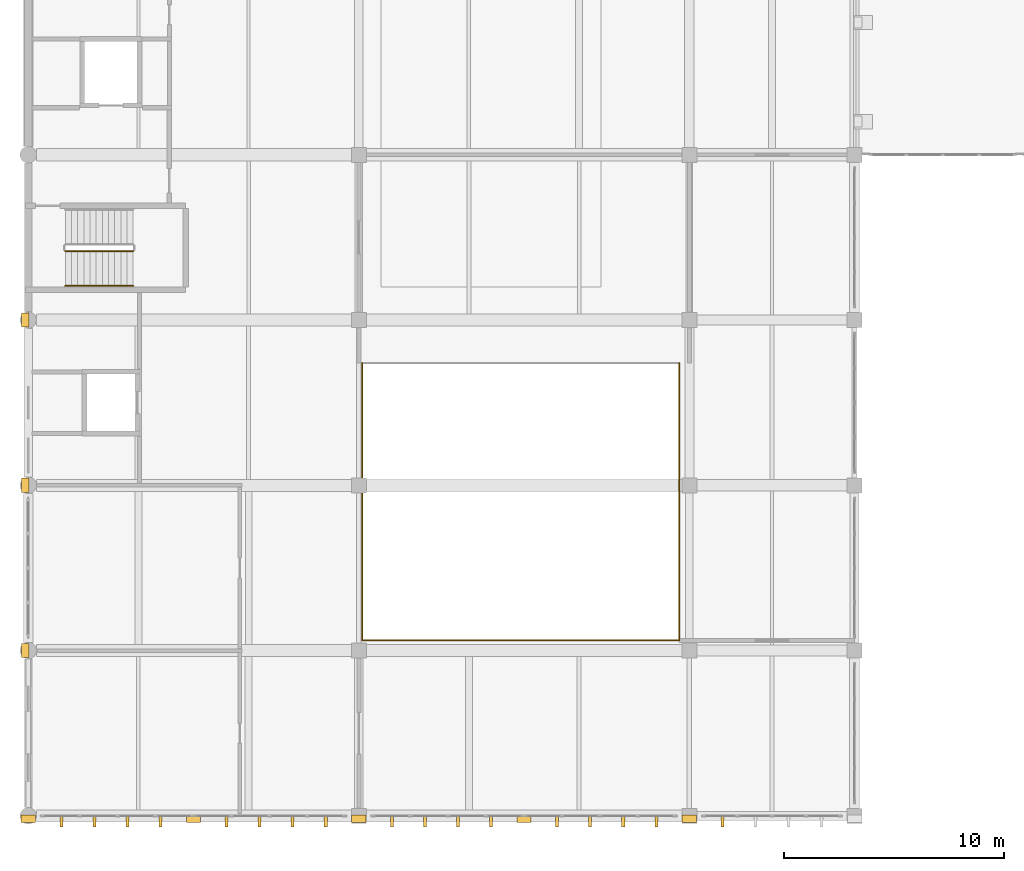
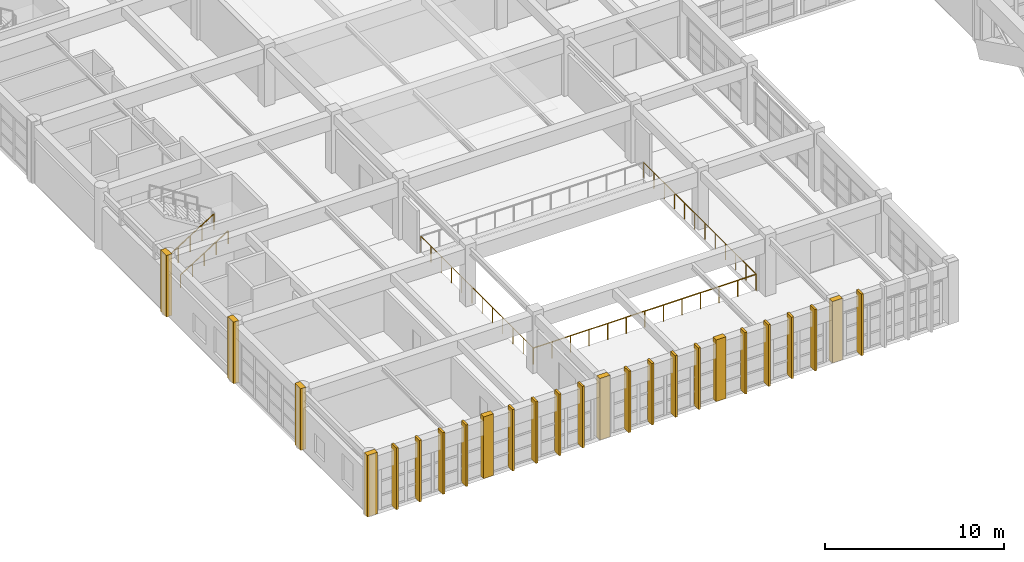
# One storey, part 117 of 132: 25 coverings, 5 railings.
"""IFC4 building model written with IfcOpenShell, lengths in metres."""

from ifc_helpers import new_model, si_unit, direction, frame, origin, origin_2d, place, context, subcontext, project, spatial, rectangle, circle, extrude, material, layer, layer_set, type_object, element, save


model = new_model("IFC4")

# Units and contexts
model_context = context("Model", 3, precision=1e-05, world=origin(), true_north=direction((0.0, 1.0)))
body_context = subcontext(model_context, "Body", "Model", "MODEL_VIEW")
ifc_project = project(units=[si_unit("LENGTHUNIT", "METRE"), si_unit("AREAUNIT", "SQUARE_METRE"), si_unit("VOLUMEUNIT", "CUBIC_METRE"), si_unit("PLANEANGLEUNIT", "RADIAN"), si_unit("MASSUNIT", "GRAM", prefix="KILO")], contexts=[model_context])

# Site, building, storey
site_placement = place(None, origin())
site = spatial("IfcSite", under=ifc_project, at=site_placement, CompositionType="ELEMENT")
building_placement = place(site_placement, origin())
building = spatial("IfcBuilding", under=site, at=building_placement, Name="Qasida Concert Hall", CompositionType="ELEMENT")
storey_placement = place(building_placement, frame((0.0, 0.0, 4.800048828125)))
storey = spatial("IfcBuildingStorey", under=building, at=storey_placement, Name="L01", CompositionType="ELEMENT", Elevation=4.800048828125)

# Coverings
ifc_material_1 = material(Name="Fluted ochre Lebanese limestone and patinated bronze fin", Category="masonry")
ifc_layer_1 = layer(ifc_material_1, 0.52001953125, Name="Fluted ochre Lebanese limestone and patinated bronze fin")
ifc_layer_set_1 = layer_set([ifc_layer_1], Name="Fluted ochre Lebanese limestone and patinated bronze fin")
covering_type_1 = type_object("IfcCoveringType", Name="CV-FIN-520", PredefinedType="CLADDING", material=ifc_layer_set_1)
for number, where, z_axis, x_axis, name in (
    (1, (1.5, -0.239990234375, 0.0), (0.0, 0.0, 1.0), (1.0, 0.0, 0.0), "L01 foyer fluted solar fin FN3-070"),
    (2, (3.0, -0.239990234375, 0.0), (0.0, 0.0, 1.0), (1.0, 0.0, 0.0), "L01 foyer fluted solar fin FN3-071"),
    (3, (4.5, -0.239990234375, 0.0), (0.0, 0.0, 1.0), (1.0, 0.0, 0.0), "L01 foyer fluted solar fin FN3-072"),
    (4, (6.0, -0.239990234375, 0.0), (0.0, 0.0, 1.0), (1.0, 0.0, 0.0), "L01 foyer fluted solar fin FN3-073"),
    (5, (9.0, -0.239990234375, 0.0), (0.0, 0.0, 1.0), (1.0, 0.0, 0.0), "L01 foyer fluted solar fin FN3-074"),
    (6, (10.5, -0.239990234375, 0.0), (0.0, 0.0, 1.0), (1.0, 0.0, 0.0), "L01 foyer fluted solar fin FN3-075"),
    (7, (12.0, -0.239990234375, 0.0), (0.0, 0.0, 1.0), (1.0, 0.0, 0.0), "L01 foyer fluted solar fin FN3-076"),
    (8, (13.5, -0.239990234375, 0.0), (0.0, 0.0, 1.0), (1.0, 0.0, 0.0), "L01 foyer fluted solar fin FN3-077"),
    (9, (16.5, -0.239990234375, 0.0), (0.0, 0.0, 1.0), (1.0, 0.0, 0.0), "L01 foyer fluted solar fin FN3-078"),
    (10, (18.0, -0.239990234375, 0.0), (0.0, 0.0, 1.0), (1.0, 0.0, 0.0), "L01 foyer fluted solar fin FN3-079"),
    (11, (19.5, -0.239990234375, 0.0), (0.0, 0.0, 1.0), (1.0, 0.0, 0.0), "L01 foyer fluted solar fin FN3-080"),
    (12, (21.0, -0.239990234375, 0.0), (0.0, 0.0, 1.0), (1.0, 0.0, 0.0), "L01 foyer fluted solar fin FN3-081"),
    (13, (24.0, -0.239990234375, 0.0), (0.0, 0.0, 1.0), (1.0, 0.0, 0.0), "L01 foyer fluted solar fin FN3-082"),
    (14, (25.5, -0.239990234375, 0.0), (0.0, 0.0, 1.0), (1.0, 0.0, 0.0), "L01 foyer fluted solar fin FN3-083"),
    (15, (27.0, -0.239990234375, 0.0), (0.0, 0.0, 1.0), (1.0, 0.0, 0.0), "L01 foyer fluted solar fin FN3-084"),
    (16, (28.5, -0.239990234375, 0.0), (0.0, 0.0, 1.0), (1.0, 0.0, 0.0), "L01 foyer fluted solar fin FN3-085"),
    (17, (31.5, -0.239990234375, 0.0), (0.0, 0.0, 1.0), (1.0, 0.0, 0.0), "L01 foyer fluted solar fin FN3-086"),
):
    element("IfcCovering", number, at=place(storey_placement, frame(where, z_axis=z_axis, x_axis=x_axis)), inside=storey, type_object=covering_type_1, Name=name, PredefinedType="CLADDING", context=body_context, shape_type="SweptSolid", body=[
        extrude(rectangle(XDim=0.139892578125, YDim=0.52001953125, at=origin_2d()), origin(), (0.0, 0.0, 1.0), 4.199951171875),
    ])
ifc_material_2 = material(Name="Projecting fluted Lebanese limestone Art Deco pilaster", Category="masonry")
ifc_layer_2 = layer(ifc_material_2, 0.35009765625, Name="Projecting fluted Lebanese limestone Art Deco pilaster")
ifc_layer_set_2 = layer_set([ifc_layer_2], Name="Projecting fluted Lebanese limestone Art Deco pilaster")
covering_type_2 = type_object("IfcCoveringType", Name="CV-PIL-650", PredefinedType="CLADDING", material=ifc_layer_set_2)
for number, where, z_axis, x_axis, name in (
    (18, (0.0, -0.135009765625, 0.0), (0.0, 0.0, 1.0), (1.0, 0.0, 0.0), "L01 fluted limestone pilaster 0142"),
    (19, (7.5, -0.135009765625, 0.0), (0.0, 0.0, 1.0), (1.0, 0.0, 0.0), "L01 fluted limestone pilaster 0146"),
    (20, (15.0, -0.135009765625, 0.0), (0.0, 0.0, 1.0), (1.0, 0.0, 0.0), "L01 fluted limestone pilaster 0150"),
    (21, (22.5, -0.135009765625, 0.0), (0.0, 0.0, 1.0), (1.0, 0.0, 0.0), "L01 fluted limestone pilaster 0154"),
    (22, (30.0, -0.135009765625, 0.0), (0.0, 0.0, 1.0), (1.0, 0.0, 0.0), "L01 fluted limestone pilaster 0158"),
):
    element("IfcCovering", number, at=place(storey_placement, frame(where, z_axis=z_axis, x_axis=x_axis)), inside=storey, type_object=covering_type_2, Name=name, PredefinedType="CLADDING", context=body_context, shape_type="SweptSolid", body=[
        extrude(rectangle(XDim=0.64990234375, YDim=0.35009765625, at=origin_2d()), origin(), (0.0, 0.0, 1.0), 4.199951171875),
    ])
for number, where, z_axis, x_axis, name in (
    (23, (-0.135009765625, 7.5, 0.0), (0.0, 0.0, 1.0), (1.0, 0.0, 0.0), "L01 fluted limestone pilaster 0166"),
    (24, (-0.135009765625, 15.0, 0.0), (0.0, 0.0, 1.0), (1.0, 0.0, 0.0), "L01 fluted limestone pilaster 0170"),
    (25, (-0.135009765625, 22.5, 0.0), (0.0, 0.0, 1.0), (1.0, 0.0, 0.0), "L01 fluted limestone pilaster 0174"),
):
    element("IfcCovering", number, at=place(storey_placement, frame(where, z_axis=z_axis, x_axis=x_axis)), inside=storey, type_object=covering_type_2, Name=name, PredefinedType="CLADDING", context=body_context, shape_type="SweptSolid", body=[
        extrude(rectangle(XDim=0.35009765625, YDim=0.64990234375, at=origin_2d()), origin(), (0.0, 0.0, 1.0), 4.199951171875),
    ])

# Railings
ifc_material_3 = material(Name="Carved Lebanese limestone and bronze top rail", Category="masonry")
ifc_layer_3 = layer(ifc_material_3, 0.10009765625, Name="Carved Lebanese limestone and bronze top rail")
ifc_layer_set_3 = layer_set([ifc_layer_3], Name="Carved Lebanese limestone and bronze top rail")
railing_type_1 = type_object("IfcRailingType", Name="RL-BAL-1100", PredefinedType="BALUSTRADE", material=ifc_layer_set_3)
railing_1_placement = place(storey_placement, frame((15.159912109375, 7.9599609375, 0.0)))
element("IfcRailing", 26, at=railing_1_placement, inside=storey, type_object=railing_type_1, Name="L01 Grand foyer atrium balustrade 0038", PredefinedType="BALUSTRADE", context=body_context, shape_type="SweptSolid", body=[
    extrude(circle(Radius=0.02392578125, at=origin_2d()), frame((0.0, 0.0, 1.09619140625), z_axis=(1.0, 0.0, 0.0), x_axis=(0.0, 1.0, 0.0)), (0.0, 0.0, 1.0), 14.380126953125),
    extrude(circle(Radius=0.02099609375, at=origin_2d()), origin(), (0.0, 0.0, 1.0), 1.072021484375),
    extrude(circle(Radius=0.02099609375, at=origin_2d()), frame((1.1982421875, 0.0, 0.0)), (0.0, 0.0, 1.0), 1.072021484375),
    extrude(circle(Radius=0.02099609375, at=origin_2d()), frame((2.396728515625, 0.0, 0.0)), (0.0, 0.0, 1.0), 1.072021484375),
    extrude(circle(Radius=0.02099609375, at=origin_2d()), frame((3.594970703125, 0.0, 0.0)), (0.0, 0.0, 1.0), 1.072021484375),
    extrude(circle(Radius=0.02099609375, at=origin_2d()), frame((4.79345703125, 0.0, 0.0)), (0.0, 0.0, 1.0), 1.072021484375),
    extrude(circle(Radius=0.02099609375, at=origin_2d()), frame((5.99169921875, 0.0, 0.0)), (0.0, 0.0, 1.0), 1.072021484375),
    extrude(circle(Radius=0.02099609375, at=origin_2d()), frame((7.18994140625, 0.0, 0.0)), (0.0, 0.0, 1.0), 1.072021484375),
    extrude(circle(Radius=0.02099609375, at=origin_2d()), frame((8.388427734375, 0.0, 0.0)), (0.0, 0.0, 1.0), 1.072021484375),
    extrude(circle(Radius=0.02099609375, at=origin_2d()), frame((9.586669921875, 0.0, 0.0)), (0.0, 0.0, 1.0), 1.072021484375),
    extrude(circle(Radius=0.02099609375, at=origin_2d()), frame((10.78515625, 0.0, 0.0)), (0.0, 0.0, 1.0), 1.072021484375),
    extrude(circle(Radius=0.02099609375, at=origin_2d()), frame((11.9833984375, 0.0, 0.0)), (0.0, 0.0, 1.0), 1.072021484375),
    extrude(circle(Radius=0.02099609375, at=origin_2d()), frame((13.181884765625, 0.0, 0.0)), (0.0, 0.0, 1.0), 1.072021484375),
    extrude(circle(Radius=0.02099609375, at=origin_2d()), frame((14.380126953125, 0.0, 0.0)), (0.0, 0.0, 1.0), 1.072021484375),
])
railing_2_placement = place(storey_placement, frame((29.5400390625, 7.9599609375, 0.0)))
element("IfcRailing", 27, at=railing_2_placement, inside=storey, type_object=railing_type_1, Name="L01 Grand foyer atrium balustrade 0039", PredefinedType="BALUSTRADE", context=body_context, shape_type="SweptSolid", body=[
    extrude(circle(Radius=0.02392578125, at=origin_2d()), frame((0.0, 0.0, 1.09619140625), z_axis=(0.0, 1.0, 0.0), x_axis=(-1.0, 0.0, 0.0)), (0.0, 0.0, 1.0), 12.580078125),
    extrude(circle(Radius=0.02099609375, at=origin_2d()), origin(), (0.0, 0.0, 1.0), 1.072021484375),
    extrude(circle(Radius=0.02099609375, at=origin_2d()), frame((0.0, 1.1435546875, 0.0)), (0.0, 0.0, 1.0), 1.072021484375),
    extrude(circle(Radius=0.02099609375, at=origin_2d()), frame((0.0, 2.287353515625, 0.0)), (0.0, 0.0, 1.0), 1.072021484375),
    extrude(circle(Radius=0.02099609375, at=origin_2d()), frame((0.0, 3.430908203125, 0.0)), (0.0, 0.0, 1.0), 1.072021484375),
    extrude(circle(Radius=0.02099609375, at=origin_2d()), frame((0.0, 4.574462890625, 0.0)), (0.0, 0.0, 1.0), 1.072021484375),
    extrude(circle(Radius=0.02099609375, at=origin_2d()), frame((0.0, 5.71826171875, 0.0)), (0.0, 0.0, 1.0), 1.072021484375),
    extrude(circle(Radius=0.02099609375, at=origin_2d()), frame((0.0, 6.86181640625, 0.0)), (0.0, 0.0, 1.0), 1.072021484375),
    extrude(circle(Radius=0.02099609375, at=origin_2d()), frame((0.0, 8.005615234375, 0.0)), (0.0, 0.0, 1.0), 1.072021484375),
    extrude(circle(Radius=0.02099609375, at=origin_2d()), frame((0.0, 9.149169921875, 0.0)), (0.0, 0.0, 1.0), 1.072021484375),
    extrude(circle(Radius=0.02099609375, at=origin_2d()), frame((0.0, 10.292724609375, 0.0)), (0.0, 0.0, 1.0), 1.072021484375),
    extrude(circle(Radius=0.02099609375, at=origin_2d()), frame((0.0, 11.4365234375, 0.0)), (0.0, 0.0, 1.0), 1.072021484375),
    extrude(circle(Radius=0.02099609375, at=origin_2d()), frame((0.0, 12.580078125, 0.0)), (0.0, 0.0, 1.0), 1.072021484375),
])
railing_3_placement = place(storey_placement, frame((15.159912109375, 20.5400390625, 0.0)))
element("IfcRailing", 28, at=railing_3_placement, inside=storey, type_object=railing_type_1, Name="L01 Grand foyer atrium balustrade 0041", PredefinedType="BALUSTRADE", context=body_context, shape_type="SweptSolid", body=[
    extrude(circle(Radius=0.02392578125, at=origin_2d()), frame((0.0, 0.0, 1.09619140625), z_axis=(0.0, -1.0, 0.0), x_axis=(1.0, 0.0, 0.0)), (0.0, 0.0, 1.0), 12.580078125),
    extrude(circle(Radius=0.02099609375, at=origin_2d()), origin(), (0.0, 0.0, 1.0), 1.072021484375),
    extrude(circle(Radius=0.02099609375, at=origin_2d()), frame((0.0, -1.1435546875, 0.0)), (0.0, 0.0, 1.0), 1.072021484375),
    extrude(circle(Radius=0.02099609375, at=origin_2d()), frame((0.0, -2.287353515625, 0.0)), (0.0, 0.0, 1.0), 1.072021484375),
    extrude(circle(Radius=0.02099609375, at=origin_2d()), frame((0.0, -3.430908203125, 0.0)), (0.0, 0.0, 1.0), 1.072021484375),
    extrude(circle(Radius=0.02099609375, at=origin_2d()), frame((0.0, -4.574462890625, 0.0)), (0.0, 0.0, 1.0), 1.072021484375),
    extrude(circle(Radius=0.02099609375, at=origin_2d()), frame((0.0, -5.71826171875, 0.0)), (0.0, 0.0, 1.0), 1.072021484375),
    extrude(circle(Radius=0.02099609375, at=origin_2d()), frame((0.0, -6.86181640625, 0.0)), (0.0, 0.0, 1.0), 1.072021484375),
    extrude(circle(Radius=0.02099609375, at=origin_2d()), frame((0.0, -8.005615234375, 0.0)), (0.0, 0.0, 1.0), 1.072021484375),
    extrude(circle(Radius=0.02099609375, at=origin_2d()), frame((0.0, -9.149169921875, 0.0)), (0.0, 0.0, 1.0), 1.072021484375),
    extrude(circle(Radius=0.02099609375, at=origin_2d()), frame((0.0, -10.292724609375, 0.0)), (0.0, 0.0, 1.0), 1.072021484375),
    extrude(circle(Radius=0.02099609375, at=origin_2d()), frame((0.0, -11.4365234375, 0.0)), (0.0, 0.0, 1.0), 1.072021484375),
    extrude(circle(Radius=0.02099609375, at=origin_2d()), frame((0.0, -12.580078125, 0.0)), (0.0, 0.0, 1.0), 1.072021484375),
])
ifc_material_4 = material(Name="Patinated architectural bronze and laminated glass infill", Category="glass")
ifc_layer_4 = layer(ifc_material_4, 0.080078125, Name="Patinated architectural bronze and laminated glass infill")
ifc_layer_set_4 = layer_set([ifc_layer_4], Name="Patinated architectural bronze and laminated glass infill")
railing_type_2 = type_object("IfcRailingType", Name="RL-GRD-1100", PredefinedType="GUARDRAIL", material=ifc_layer_set_4)
railing_4_placement = place(storey_placement, frame((1.679931640625, 25.6298828125, 0.175048828125)))
element("IfcRailing", 29, at=railing_4_placement, inside=storey, type_object=railing_type_2, Name="L01 ST-03 stair guard 1", PredefinedType="GUARDRAIL", context=body_context, shape_type="SweptSolid", body=[
    extrude(circle(Radius=0.02392578125, at=origin_2d()), frame((0.0, 0.0, 1.076171875), z_axis=(0.848028513186, 0.0, 0.529950602248), x_axis=(0.0, 1.0, 0.0)), (0.0, 0.0, 1.0), 3.632080078125),
    extrude(circle(Radius=0.02099609375, at=origin_2d()), origin(), (0.0, 0.0, 1.0), 1.052001953125),
    extrude(circle(Radius=0.02099609375, at=origin_2d()), frame((0.77001953125, 0.0, 0.481201171875)), (0.0, 0.0, 1.0), 1.052001953125),
    extrude(circle(Radius=0.02099609375, at=origin_2d()), frame((1.5400390625, 0.0, 0.96240234375)), (0.0, 0.0, 1.0), 1.052001953125),
    extrude(circle(Radius=0.02099609375, at=origin_2d()), frame((2.31005859375, 0.0, 1.443603515625)), (0.0, 0.0, 1.0), 1.052001953125),
    extrude(circle(Radius=0.02099609375, at=origin_2d()), frame((3.080078125, 0.0, 1.9248046875)), (0.0, 0.0, 1.0), 1.052001953125),
])
ifc_material_5 = material(Name="Patinated tubular architectural bronze", Category="steel")
ifc_layer_5 = layer(ifc_material_5, 0.050048828125, Name="Patinated tubular architectural bronze")
ifc_layer_set_5 = layer_set([ifc_layer_5], Name="Patinated tubular architectural bronze")
railing_type_3 = type_object("IfcRailingType", Name="RL-HND-900", PredefinedType="HANDRAIL", material=ifc_layer_set_5)
railing_5_placement = place(storey_placement, frame((1.679931640625, 24.050048828125, 0.175048828125)))
element("IfcRailing", 30, at=railing_5_placement, inside=storey, type_object=railing_type_3, Name="L01 ST-03 stair handrail 1", PredefinedType="HANDRAIL", context=body_context, shape_type="SweptSolid", body=[
    extrude(circle(Radius=0.02392578125, at=origin_2d()), frame((0.0, 0.0, 0.8759765625), z_axis=(0.848028513186, 0.0, 0.529950602248), x_axis=(0.0, 1.0, 0.0)), (0.0, 0.0, 1.0), 3.632080078125),
    extrude(circle(Radius=0.02099609375, at=origin_2d()), origin(), (0.0, 0.0, 1.0), 0.851806640625),
    extrude(circle(Radius=0.02099609375, at=origin_2d()), frame((0.77001953125, 0.0, 0.481201171875)), (0.0, 0.0, 1.0), 0.851806640625),
    extrude(circle(Radius=0.02099609375, at=origin_2d()), frame((1.5400390625, 0.0, 0.96240234375)), (0.0, 0.0, 1.0), 0.851806640625),
    extrude(circle(Radius=0.02099609375, at=origin_2d()), frame((2.31005859375, 0.0, 1.443603515625)), (0.0, 0.0, 1.0), 0.851806640625),
    extrude(circle(Radius=0.02099609375, at=origin_2d()), frame((3.080078125, 0.0, 1.9248046875)), (0.0, 0.0, 1.0), 0.851806640625),
])

save(model, "model.ifc")
